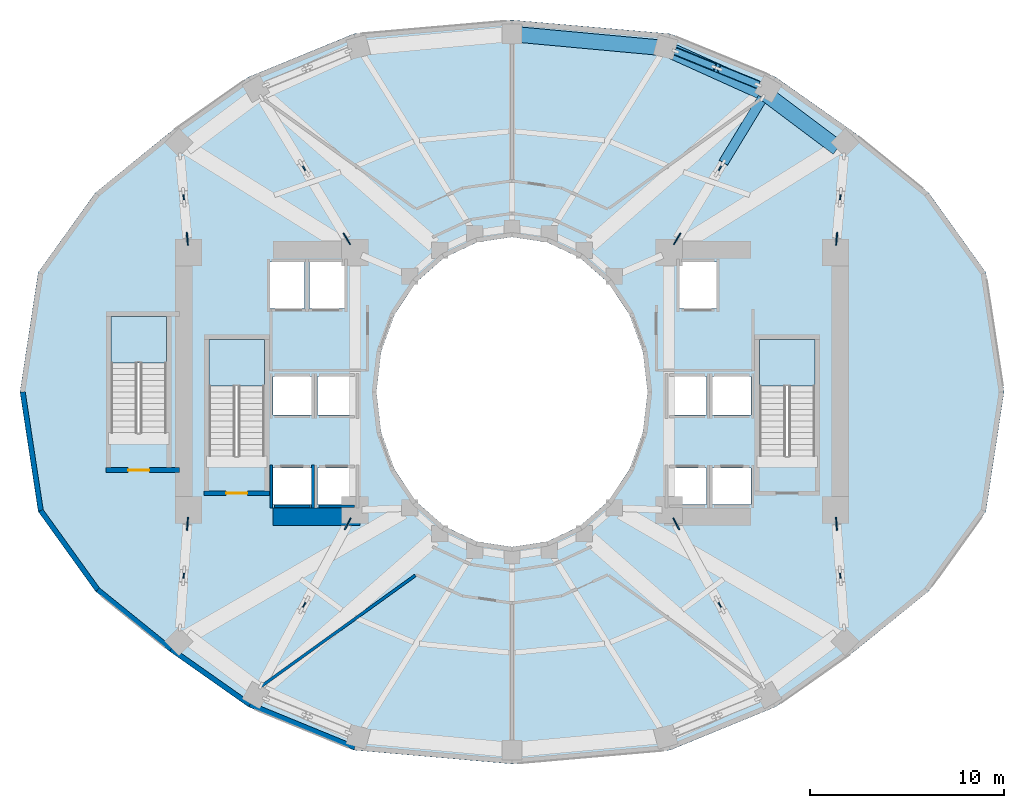
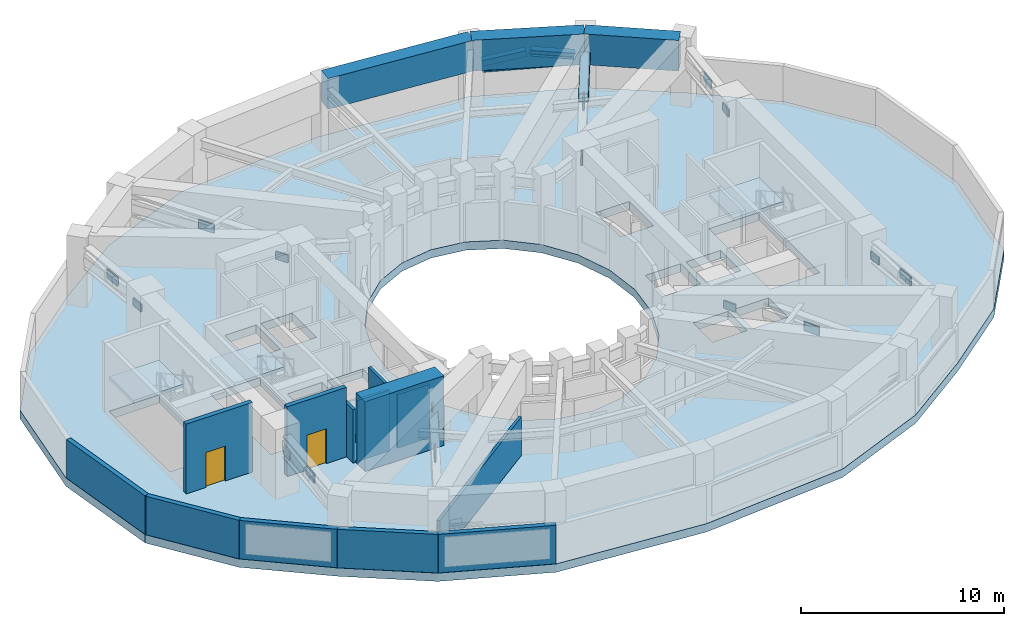
# One storey, part 3 of 10: 16 plates, 13 walls, 4 beams, 4 slabs, 3 members, 2 doors, 2 openings, 3 elements without a shape of their own.
"""IFC4 building model written with IfcOpenShell, lengths in metres."""

import ifcopenshell
import ifcopenshell.guid

model = None  # the IFC model being written
_history = None  # IfcOwnerHistory: only IFC2X3 demands one
_inside = {}  # id of a spatial element -> (the spatial element, [elements in it])
_under = {}  # id of a project, library or spatial element -> (it, [spatial elements below it])
_declared = {}  # id of a project -> (the project, [libraries it declares])
_typed = {}  # id of a type object -> (the type object, [elements of that type])
_made_of = {}  # id of a material, layer set ... -> (it, [elements and type objects made of it])


def new_model(schema):
    """Start an empty IFC model of exactly this schema.

    Asked for "IFC4X3", IfcOpenShell would pick the latest addendum, in which some entities
    have other attributes; the version numbers below select the first issue.
    IFC2X3 requires an IfcOwnerHistory on every rooted entity: one is made here for all.
    """
    global model, _history
    if schema == "IFC4X3":
        model = ifcopenshell.file(schema_version=(4, 3, 0, 0))
    else:
        model = ifcopenshell.file(schema=schema)
    _inside.clear()
    _under.clear()
    _declared.clear()
    _typed.clear()
    _made_of.clear()
    _history = None
    if model.schema == "IFC2X3":
        org = make("IfcOrganization", Name="unknown")
        user = make(
            "IfcPersonAndOrganization",
            ThePerson=make("IfcPerson", FamilyName="unknown"),
            TheOrganization=org,
        )
        app = make(
            "IfcApplication",
            ApplicationDeveloper=org,
            Version="unknown",
            ApplicationFullName="unknown",
            ApplicationIdentifier="unknown",
        )
        _history = make(
            "IfcOwnerHistory",
            OwningUser=user,
            OwningApplication=app,
            ChangeAction="ADDED",
            CreationDate=0,
        )
    return model


def make(cls, **values):
    """One entity of the class cls with the attributes given. An attribute that is None is left unset."""
    return model.create_entity(
        cls, **{name: value for name, value in values.items() if value is not None}
    )


def rooted(cls, **values):
    """An entity with a GlobalId (a new one), such as an element, a storey or a relation."""
    return make(cls, GlobalId=ifcopenshell.guid.new(), OwnerHistory=_history, **values)


def si_unit(unit_type, name, prefix=None):
    """IfcSIUnit, for example si_unit("LENGTHUNIT", "METRE", prefix="MILLI")."""
    return make("IfcSIUnit", UnitType=unit_type, Prefix=prefix, Name=name)


def assignment(units):
    """IfcUnitAssignment: the units of a project."""
    return None if units is None else make("IfcUnitAssignment", Units=units)


def point(xyz):
    """IfcCartesianPoint."""
    return None if xyz is None else make("IfcCartesianPoint", Coordinates=xyz)


def direction(xyz):
    """IfcDirection."""
    return None if xyz is None else make("IfcDirection", DirectionRatios=xyz)


def frame(location, z_axis=None, x_axis=None):
    """IfcAxis2Placement3D, a coordinate frame: its origin and axes. An axis left out is left unset."""
    return make(
        "IfcAxis2Placement3D",
        Location=point(location),
        Axis=direction(z_axis),
        RefDirection=direction(x_axis),
    )


def frame_2d(location, x_axis=None):
    """IfcAxis2Placement2D, a coordinate frame in the plane: its origin and x axis."""
    return make(
        "IfcAxis2Placement2D", Location=point(location), RefDirection=direction(x_axis)
    )


def origin():
    """The frame at (0, 0, 0) with its axes left unset."""
    return frame((0.0, 0.0, 0.0))


def origin_2d():
    """The frame at (0, 0) in the plane with its x axis left unset."""
    return frame_2d((0.0, 0.0))


def place(relative_to, where):
    """IfcLocalPlacement: puts the frame where relative to a parent placement (None: the world)."""
    return make(
        "IfcLocalPlacement", PlacementRelTo=relative_to, RelativePlacement=where
    )


def context(
    kind, dimensions, precision=None, world=None, true_north=None, identifier=None
):
    """IfcGeometricRepresentationContext, for example the 3D "Model" context."""
    return make(
        "IfcGeometricRepresentationContext",
        ContextIdentifier=identifier,
        ContextType=kind,
        CoordinateSpaceDimension=dimensions,
        Precision=precision,
        WorldCoordinateSystem=world,
        TrueNorth=true_north,
    )


def subcontext(parent, identifier, kind, view, scale=None):
    """IfcGeometricRepresentationSubContext, for example "Body" below "Model"."""
    return make(
        "IfcGeometricRepresentationSubContext",
        ContextIdentifier=identifier,
        ContextType=kind,
        ParentContext=parent,
        TargetScale=scale,
        TargetView=view,
    )


def project(units=None, contexts=None):
    """IfcProject with its units and contexts."""
    return rooted(
        "IfcProject",
        Name="project",
        RepresentationContexts=contexts,
        UnitsInContext=assignment(units),
    )


def spatial(cls, under=None, at=None, **own):
    """A site, building, storey or space (cls), placed at a placement, below another one or the project."""
    s = rooted(cls, ObjectPlacement=at, **own)
    if under is not None:
        _under.setdefault(under.id(), (under, []))[1].append(s)
    return s


def polyline(points):
    """IfcPolyline through the points."""
    return make("IfcPolyline", Points=[point(p) for p in points])


def profile(cls, at=None, kind="AREA", **sizes):
    """A parametric profile (cls). Its sizes go by their IFC names, for example OverallWidth=200.0."""
    return make(cls, ProfileType=kind, Position=at, **sizes)


def rectangle(**sizes):
    """IfcRectangleProfileDef."""
    return profile("IfcRectangleProfileDef", **sizes)


def hollow_rectangle(**sizes):
    """IfcRectangleHollowProfileDef."""
    return profile("IfcRectangleHollowProfileDef", **sizes)


def i_section(**sizes):
    """IfcIShapeProfileDef."""
    return profile("IfcIShapeProfileDef", **sizes)


def outline(outer, holes=None, kind="AREA"):
    """IfcArbitraryClosedProfileDef: a profile drawn as a closed curve; with holes, ...WithVoids."""
    if holes is None:
        return make("IfcArbitraryClosedProfileDef", ProfileType=kind, OuterCurve=outer)
    return make(
        "IfcArbitraryProfileDefWithVoids",
        ProfileType=kind,
        OuterCurve=outer,
        InnerCurves=holes,
    )


def extrude(swept, where, along, depth):
    """IfcExtrudedAreaSolid: the profile swept, set in the frame where, extruded along a direction by depth."""
    return make(
        "IfcExtrudedAreaSolid",
        SweptArea=swept,
        Position=where,
        ExtrudedDirection=direction(along),
        Depth=depth,
    )


def shape(context_of_items, identifier, shape_type, items):
    """IfcShapeRepresentation: the items that make up one representation, for example the "Body"."""
    return make(
        "IfcShapeRepresentation",
        ContextOfItems=context_of_items,
        RepresentationIdentifier=identifier,
        RepresentationType=shape_type,
        Items=items,
    )


def material(Name=None, Category=None):
    """IfcMaterial."""
    return make("IfcMaterial", Name=Name, Category=Category)


def layer(
    of_material, thickness, ventilated=None, Name=None, Category=None, Priority=None
):
    """IfcMaterialLayer: one layer of a wall or slab, of a material (None: an air gap)."""
    return make(
        "IfcMaterialLayer",
        Material=of_material,
        LayerThickness=thickness,
        IsVentilated=ventilated,
        Name=Name,
        Category=Category,
        Priority=Priority,
    )


def layer_set(layers, Name=None):
    """IfcMaterialLayerSet."""
    return make("IfcMaterialLayerSet", MaterialLayers=layers, LayerSetName=Name)


def material_profile(
    of_material, cross_section, Name=None, Category=None, Priority=None
):
    """IfcMaterialProfile: a cross section and its material."""
    return make(
        "IfcMaterialProfile",
        Name=Name,
        Material=of_material,
        Profile=cross_section,
        Priority=Priority,
        Category=Category,
    )


def profile_set(profiles, Name=None, composite=None):
    """IfcMaterialProfileSet."""
    return make(
        "IfcMaterialProfileSet",
        Name=Name,
        MaterialProfiles=profiles,
        CompositeProfile=composite,
    )


def made_of(thing, what):
    """Note that an element or type object is made of a material, layer set ...; save() writes the relation."""
    if what is not None:
        _made_of.setdefault(what.id(), (what, []))[1].append(thing)
    return thing


def type_object(cls, material=None, **own):
    """A type object (cls), such as IfcWallType, which elements share."""
    return made_of(rooted(cls, **own), material)


def element(
    cls,
    number,
    at=None,
    inside=None,
    cuts=None,
    type_object=None,
    material=None,
    context=None,
    identifier="Body",
    shape_type=None,
    held_by="IfcProductDefinitionShape",
    body=None,
    shapes=None,
    **own,
):
    """One element of the class cls, such as IfcWall. Its Tag is "e" and its number.

    at: its placement. inside: the storey or other place that contains it. cuts: it is an
    opening in that element (IfcRelVoidsElement). A single representation is given by context,
    identifier, shape_type and body (its items); several are given by shapes. held_by: the class
    of the entity that holds the representations. save() writes the other relations.
    """
    e = rooted(cls, Tag="e%d" % number, ObjectPlacement=at, **own)
    if body is not None:
        shapes = [shape(context, identifier, shape_type, body)]
    if shapes is not None:
        e.Representation = make(held_by, Representations=shapes)
    if inside is not None:
        _inside.setdefault(inside.id(), (inside, []))[1].append(e)
    if cuts is not None:
        rooted(
            "IfcRelVoidsElement", RelatingBuildingElement=cuts, RelatedOpeningElement=e
        )
    if type_object is not None:
        _typed.setdefault(type_object.id(), (type_object, []))[1].append(e)
    return made_of(e, material)


def fill(opening, filler):
    """IfcRelFillsElement: the door or window that sits in an opening."""
    return rooted(
        "IfcRelFillsElement",
        RelatingOpeningElement=opening,
        RelatedBuildingElement=filler,
    )


def aggregate(whole, parts):
    """IfcRelAggregates: a whole, such as a stair, and the parts it consists of."""
    return rooted("IfcRelAggregates", RelatingObject=whole, RelatedObjects=parts)


def save(model, path):
    """Write the relations noted so far, then the file.

    IfcRelAggregates (storeys below a building ...), IfcRelContainedInSpatialStructure (elements
    in a storey), IfcRelDefinesByType, IfcRelAssociatesMaterial and IfcRelDeclares: one each for
    every whole, place, type object, material and project.
    """
    for whole, parts in _under.values():
        aggregate(whole, parts)
    for where, things in _inside.values():
        rooted(
            "IfcRelContainedInSpatialStructure",
            RelatedElements=things,
            RelatingStructure=where,
        )
    for kind, things in _typed.values():
        rooted("IfcRelDefinesByType", RelatedObjects=things, RelatingType=kind)
    for what, things in _made_of.values():
        rooted("IfcRelAssociatesMaterial", RelatedObjects=things, RelatingMaterial=what)
    for by, libraries in _declared.values():
        rooted("IfcRelDeclares", RelatingContext=by, RelatedDefinitions=libraries)
    model.write(path)


model = new_model("IFC4")

# Units and contexts
model_context = context("Model", 3, precision=1e-05, world=origin(), true_north=direction((0.0, 1.0)))
body_context = subcontext(model_context, "Body", "Model", "MODEL_VIEW")
ifc_project = project(units=[si_unit("LENGTHUNIT", "METRE"), si_unit("AREAUNIT", "SQUARE_METRE"), si_unit("VOLUMEUNIT", "CUBIC_METRE"), si_unit("PLANEANGLEUNIT", "RADIAN"), si_unit("MASSUNIT", "GRAM", prefix="KILO")], contexts=[model_context])

# Site, building, storey
site_placement = place(None, origin())
site = spatial("IfcSite", under=ifc_project, at=site_placement, CompositionType="ELEMENT")
building_placement = place(site_placement, origin())
building = spatial("IfcBuilding", under=site, at=building_placement, Name="Solvane Sanctuary Tower", CompositionType="ELEMENT")
storey_placement = place(building_placement, frame((0.0, 0.0, 64.800048828125)))
storey = spatial("IfcBuildingStorey", under=building, at=storey_placement, Name="L19", CompositionType="ELEMENT", Elevation=64.800048828125)

# Beams
ifc_material_1 = material(Name="Steel ASTM A913 Grade 65", Category="steel")
ifc_material_profile_1 = material_profile(ifc_material_1, i_section(OverallWidth=0.431884765625, OverallDepth=0.498046875, WebThickness=0.0556640625, FlangeThickness=0.0888671875, FilletRadius=0.02490234375, at=origin_2d()), Name="W14X500")
ifc_profile_set_1 = profile_set([ifc_material_profile_1], Name="Steel ASTM A913 Grade 65")
beam_type_1 = type_object("IfcBeamType", Name="Beam B-OUTR-CH W14X500", PredefinedType="BEAM", material=ifc_profile_set_1)
beam_1_placement = place(storey_placement, frame((40.430908203125, 40.59375, 2.300048828125), z_axis=(0.926448767062, -0.37642088413, 0.0), x_axis=(0.37642088413, 0.926448767062, 0.0)))
element("IfcBeam", 1, at=beam_1_placement, inside=storey, type_object=beam_type_1, Name="L19 Belt Truss Bottom Chord 03-02", PredefinedType="BEAM", context=body_context, shape_type="SweptSolid", body=[
    extrude(i_section(OverallWidth=0.431884765625, OverallDepth=0.498046875, WebThickness=0.0556640625, FlangeThickness=0.0888671875, FilletRadius=0.02490234375, at=origin_2d()), origin(), (0.0, 0.0, 1.0), 4.630859375),
])
ifc_material_2 = material(Name="Concrete C70/85", Category="concrete")
ifc_material_profile_2 = material_profile(ifc_material_2, rectangle(XDim=0.800048828125, YDim=1.85009765625, at=origin_2d()), Name="RC800X1850")
ifc_profile_set_2 = profile_set([ifc_material_profile_2], Name="Concrete C70/85")
beam_type_2 = type_object("IfcBeamType", Name="Beam B-XFER-BLK RC800X1850", PredefinedType="BEAM", material=ifc_profile_set_2)
beam_2_placement = place(storey_placement, frame((32.0, 41.47998046875, 3.27490234375), z_axis=(0.995790055536, -0.091663325793, 0.0), x_axis=(0.091663325793, 0.995790055536, 0.0)))
element("IfcBeam", 2, at=beam_2_placement, inside=storey, type_object=beam_type_2, Name="L19 Perimeter Step Transfer Ring NTC04-NTC03", PredefinedType="BEAM", context=body_context, shape_type="SweptSolid", body=[
    extrude(rectangle(XDim=0.800048828125, YDim=1.85009765625, at=origin_2d()), origin(), (0.0, 0.0, 1.0), 7.945068359375),
])
beam_3_placement = place(storey_placement, frame((39.91162109375, 40.751708984375, 3.27490234375), z_axis=(0.911310237902, -0.411720354483, 0.0), x_axis=(0.411720354483, 0.911310237902, 0.0)))
element("IfcBeam", 3, at=beam_3_placement, inside=storey, type_object=beam_type_2, Name="L19 Perimeter Step Transfer Ring NTC03-NTC02", PredefinedType="BEAM", context=body_context, shape_type="SweptSolid", body=[
    extrude(rectangle(XDim=0.800048828125, YDim=1.85009765625, at=origin_2d()), origin(), (0.0, 0.0, 1.0), 5.629150390625),
])
beam_4_placement = place(storey_placement, frame((45.04150390625, 38.43408203125, 3.27490234375), z_axis=(0.800210613957, -0.599719078662, 0.0), x_axis=(0.599719078662, 0.800210613957, 0.0)))
element("IfcBeam", 4, at=beam_4_placement, inside=storey, type_object=beam_type_2, Name="L19 Perimeter Step Transfer Ring NTC02-NTC01", PredefinedType="BEAM", context=body_context, shape_type="SweptSolid", body=[
    extrude(rectangle(XDim=0.800048828125, YDim=1.85009765625, at=origin_2d()), origin(), (0.0, 0.0, 1.0), 4.728271484375),
])

# Members
ifc_material_profile_3 = material_profile(ifc_material_1, hollow_rectangle(XDim=0.35009765625, YDim=0.35009765625, WallThickness=0.01611328125, at=origin_2d()), Name="HSS350X350X16")
ifc_profile_set_3 = profile_set([ifc_material_profile_3], Name="Steel ASTM A913 Grade 65")
member_type_1 = type_object("IfcMemberType", Name="Member M-BELT-DIAG HSS350X350X16", PredefinedType="BRACE", material=ifc_profile_set_3)
member_1_placement = place(storey_placement, frame((40.444580078125, 40.588134765625, 2.5517578125), z_axis=(0.911534741068, -0.370465075075, 0.178493820555), x_axis=(0.376511460267, 0.926411960354, 0.0)))
element("IfcMember", 5, at=member_1_placement, inside=storey, type_object=member_type_1, Name="L19 Belt Truss Diagonal 03-02", PredefinedType="BRACE", context=body_context, shape_type="SweptSolid", body=[
    extrude(hollow_rectangle(XDim=0.35009765625, YDim=0.35009765625, WallThickness=0.01611328125, at=origin_2d()), origin(), (0.0, 0.0, 1.0), 2.22802734375),
])
ifc_material_3 = material(Name="Steel ASTM A992 Grade 50", Category="steel")
ifc_material_profile_4 = material_profile(ifc_material_3, i_section(OverallWidth=0.3740234375, OverallDepth=0.3720703125, WebThickness=0.016357421875, FlangeThickness=0.026123046875, FilletRadius=0.02490234375, at=origin_2d()), Name="W14X132")
ifc_profile_set_4 = profile_set([ifc_material_profile_4], Name="Steel ASTM A992 Grade 50")
member_type_2 = type_object("IfcMemberType", Name="Member M-BELT-POST W14X132", PredefinedType="POST", material=ifc_profile_set_4)
member_2_placement = place(storey_placement, frame((42.67626953125, 39.681396484375, 2.949462890625), z_axis=(0.911590259429, -0.370333542893, -0.178483237092), x_axis=(0.376377046956, 0.926466577122, 0.0)))
element("IfcMember", 6, at=member_2_placement, inside=storey, type_object=member_type_2, Name="L19 Belt Truss Web Strut 03-02", PredefinedType="POST", context=body_context, shape_type="SweptSolid", body=[
    extrude(i_section(OverallWidth=0.3740234375, OverallDepth=0.3720703125, WebThickness=0.016357421875, FlangeThickness=0.026123046875, FilletRadius=0.02490234375, at=origin_2d()), origin(), (0.0, 0.0, 1.0), 2.228271484375),
])
ifc_material_profile_5 = material_profile(ifc_material_1, hollow_rectangle(XDim=0.5, YDim=0.5, WallThickness=0.02490234375, at=origin_2d()), Name="HSS500X500X25")
ifc_profile_set_5 = profile_set([ifc_material_profile_5], Name="Steel ASTM A913 Grade 65")
member_type_3 = type_object("IfcMemberType", Name="Member M-POD-DIAG HSS500X500X25", PredefinedType="BRACE", material=ifc_profile_set_5)
member_3_placement = place(storey_placement, frame((44.93359375, 38.172607421875, 2.85986328125), z_axis=(-0.518016633059, -0.854434039128, 0.040015505157), x_axis=(0.855118939014, -0.518431866438, 0.0)))
element("IfcMember", 7, at=member_3_placement, inside=storey, type_object=member_type_3, Name="L19 Outrigger Counter-Diagonal Lower Half OE2", PredefinedType="BRACE", context=body_context, shape_type="SweptSolid", body=[
    extrude(hollow_rectangle(XDim=0.5, YDim=0.5, WallThickness=0.02490234375, at=origin_2d()), origin(), (0.0, 0.0, 1.0), 3.910888671875),
])

# Plates
ifc_material_4 = material(Name="Steel ASTM A572 Grade 50", Category="steel")
ifc_layer_1 = layer(ifc_material_4, 0.070068359375, Name="Steel ASTM A572 Grade 50")
ifc_layer_set_1 = layer_set([ifc_layer_1], Name="Steel ASTM A572 Grade 50")
plate_type = type_object("IfcPlateType", Name="Plate PL-GUSSET-B", PredefinedType="USERDEFINED", material=ifc_layer_set_1)
plate_1_placement = place(storey_placement, frame((15.0517578125, 33.046142578125, 2.76953125), z_axis=(0.0, 0.0, 1.0), x_axis=(-0.086807999895, 0.996225060493, 0.0)))
element("IfcPlate", 8, at=plate_1_placement, inside=storey, type_object=plate_type, Name="L19 Outrigger X-Brace Central Node Plate OW1", ObjectType="GUSSET PLATE", PredefinedType="USERDEFINED", context=body_context, shape_type="SweptSolid", body=[
    extrude(rectangle(XDim=0.8798828125, YDim=0.070068359375, at=origin_2d()), origin(), (0.0, 0.0, 1.0), 0.52001953125),
])
plate_2_placement = place(storey_placement, frame((15.238037109375, 30.909912109375, 2.384765625), z_axis=(0.0, 0.0, 1.0), x_axis=(-0.086807999895, 0.996225060493, 0.0)))
element("IfcPlate", 9, at=plate_2_placement, inside=storey, type_object=plate_type, Name="L19 Outrigger Core Gusset Plate OW1", ObjectType="GUSSET PLATE", PredefinedType="USERDEFINED", context=body_context, shape_type="SweptSolid", body=[
    extrude(rectangle(XDim=0.679931640625, YDim=0.070068359375, at=origin_2d()), origin(), (0.0, 0.0, 1.0), 0.449951171875),
])
plate_3_placement = place(storey_placement, frame((21.26318359375, 34.549072265625, 2.76953125), z_axis=(0.0, 0.0, 1.0), x_axis=(-0.518474806022, 0.855092904614, 0.0)))
element("IfcPlate", 10, at=plate_3_placement, inside=storey, type_object=plate_type, Name="L19 Outrigger X-Brace Central Node Plate OW2", ObjectType="GUSSET PLATE", PredefinedType="USERDEFINED", context=body_context, shape_type="SweptSolid", body=[
    extrude(rectangle(XDim=0.8798828125, YDim=0.070068359375, at=origin_2d()), origin(), (0.0, 0.0, 1.0), 0.52001953125),
])
plate_4_placement = place(storey_placement, frame((23.470458984375, 30.90869140625, 2.384765625), z_axis=(0.0, 0.0, 1.0), x_axis=(-0.518474806022, 0.855092904614, 0.0)))
element("IfcPlate", 11, at=plate_4_placement, inside=storey, type_object=plate_type, Name="L19 Outrigger Core Gusset Plate OW2", ObjectType="GUSSET PLATE", PredefinedType="USERDEFINED", context=body_context, shape_type="SweptSolid", body=[
    extrude(rectangle(XDim=0.679931640625, YDim=0.070068359375, at=origin_2d()), origin(), (0.0, 0.0, 1.0), 0.449951171875),
])
plate_5_placement = place(storey_placement, frame((15.05224609375, 13.50830078125, 2.76953125), z_axis=(0.0, 0.0, 1.0), x_axis=(-0.072890064247, -0.997339981418, 0.0)))
element("IfcPlate", 12, at=plate_5_placement, inside=storey, type_object=plate_type, Name="L19 Outrigger X-Brace Central Node Plate OW3", ObjectType="GUSSET PLATE", PredefinedType="USERDEFINED", context=body_context, shape_type="SweptSolid", body=[
    extrude(rectangle(XDim=0.8798828125, YDim=0.070068359375, at=origin_2d()), origin(), (0.0, 0.0, 1.0), 0.52001953125),
])
plate_6_placement = place(storey_placement, frame((15.248046875, 16.18994140625, 2.384765625), z_axis=(0.0, 0.0, 1.0), x_axis=(-0.072890064247, -0.997339981418, 0.0)))
element("IfcPlate", 13, at=plate_6_placement, inside=storey, type_object=plate_type, Name="L19 Outrigger Core Gusset Plate OW3", ObjectType="GUSSET PLATE", PredefinedType="USERDEFINED", context=body_context, shape_type="SweptSolid", body=[
    extrude(rectangle(XDim=0.679931640625, YDim=0.070068359375, at=origin_2d()), origin(), (0.0, 0.0, 1.0), 0.449951171875),
])
plate_7_placement = place(storey_placement, frame((21.275634765625, 12.0078125, 2.76953125), z_axis=(0.0, 0.0, 1.0), x_axis=(-0.47270457414, -0.881220962975, 0.0)))
element("IfcPlate", 14, at=plate_7_placement, inside=storey, type_object=plate_type, Name="L19 Outrigger X-Brace Central Node Plate OW4", ObjectType="GUSSET PLATE", PredefinedType="USERDEFINED", context=body_context, shape_type="SweptSolid", body=[
    extrude(rectangle(XDim=0.8798828125, YDim=0.070068359375, at=origin_2d()), origin(), (0.0, 0.0, 1.0), 0.52001953125),
])
plate_8_placement = place(storey_placement, frame((23.519775390625, 16.191162109375, 2.384765625), z_axis=(0.0, 0.0, 1.0), x_axis=(-0.47270457414, -0.881220962975, 0.0)))
element("IfcPlate", 15, at=plate_8_placement, inside=storey, type_object=plate_type, Name="L19 Outrigger Core Gusset Plate OW4", ObjectType="GUSSET PLATE", PredefinedType="USERDEFINED", context=body_context, shape_type="SweptSolid", body=[
    extrude(rectangle(XDim=0.679931640625, YDim=0.070068359375, at=origin_2d()), origin(), (0.0, 0.0, 1.0), 0.449951171875),
])
plate_9_placement = place(storey_placement, frame((48.9482421875, 33.046142578125, 2.76953125), z_axis=(0.0, 0.0, 1.0), x_axis=(0.086807999895, 0.996225060493, 0.0)))
element("IfcPlate", 16, at=plate_9_placement, inside=storey, type_object=plate_type, Name="L19 Outrigger X-Brace Central Node Plate OE1", ObjectType="GUSSET PLATE", PredefinedType="USERDEFINED", context=body_context, shape_type="SweptSolid", body=[
    extrude(rectangle(XDim=0.8798828125, YDim=0.070068359375, at=origin_2d()), origin(), (0.0, 0.0, 1.0), 0.52001953125),
])
plate_10_placement = place(storey_placement, frame((48.761962890625, 30.909912109375, 2.384765625), z_axis=(0.0, 0.0, 1.0), x_axis=(0.086807999895, 0.996225060493, 0.0)))
element("IfcPlate", 17, at=plate_10_placement, inside=storey, type_object=plate_type, Name="L19 Outrigger Core Gusset Plate OE1", ObjectType="GUSSET PLATE", PredefinedType="USERDEFINED", context=body_context, shape_type="SweptSolid", body=[
    extrude(rectangle(XDim=0.679931640625, YDim=0.070068359375, at=origin_2d()), origin(), (0.0, 0.0, 1.0), 0.449951171875),
])
plate_11_placement = place(storey_placement, frame((42.73681640625, 34.549072265625, 2.76953125), z_axis=(0.0, 0.0, 1.0), x_axis=(0.518474806022, 0.855092904614, 0.0)))
element("IfcPlate", 18, at=plate_11_placement, inside=storey, type_object=plate_type, Name="L19 Outrigger X-Brace Central Node Plate OE2", ObjectType="GUSSET PLATE", PredefinedType="USERDEFINED", context=body_context, shape_type="SweptSolid", body=[
    extrude(rectangle(XDim=0.8798828125, YDim=0.070068359375, at=origin_2d()), origin(), (0.0, 0.0, 1.0), 0.52001953125),
])
plate_12_placement = place(storey_placement, frame((40.529541015625, 30.90869140625, 2.384765625), z_axis=(0.0, 0.0, 1.0), x_axis=(0.518474806022, 0.855092904614, 0.0)))
element("IfcPlate", 19, at=plate_12_placement, inside=storey, type_object=plate_type, Name="L19 Outrigger Core Gusset Plate OE2", ObjectType="GUSSET PLATE", PredefinedType="USERDEFINED", context=body_context, shape_type="SweptSolid", body=[
    extrude(rectangle(XDim=0.679931640625, YDim=0.070068359375, at=origin_2d()), origin(), (0.0, 0.0, 1.0), 0.449951171875),
])
plate_13_placement = place(storey_placement, frame((48.94775390625, 13.50830078125, 2.76953125), z_axis=(0.0, 0.0, 1.0), x_axis=(0.072890064247, -0.997339981418, 0.0)))
element("IfcPlate", 20, at=plate_13_placement, inside=storey, type_object=plate_type, Name="L19 Outrigger X-Brace Central Node Plate OE3", ObjectType="GUSSET PLATE", PredefinedType="USERDEFINED", context=body_context, shape_type="SweptSolid", body=[
    extrude(rectangle(XDim=0.8798828125, YDim=0.070068359375, at=origin_2d()), origin(), (0.0, 0.0, 1.0), 0.52001953125),
])
plate_14_placement = place(storey_placement, frame((48.751953125, 16.18994140625, 2.384765625), z_axis=(0.0, 0.0, 1.0), x_axis=(0.072890064247, -0.997339981418, 0.0)))
element("IfcPlate", 21, at=plate_14_placement, inside=storey, type_object=plate_type, Name="L19 Outrigger Core Gusset Plate OE3", ObjectType="GUSSET PLATE", PredefinedType="USERDEFINED", context=body_context, shape_type="SweptSolid", body=[
    extrude(rectangle(XDim=0.679931640625, YDim=0.070068359375, at=origin_2d()), origin(), (0.0, 0.0, 1.0), 0.449951171875),
])
plate_15_placement = place(storey_placement, frame((42.724365234375, 12.0078125, 2.76953125), z_axis=(0.0, 0.0, 1.0), x_axis=(0.47270457414, -0.881220962975, 0.0)))
element("IfcPlate", 22, at=plate_15_placement, inside=storey, type_object=plate_type, Name="L19 Outrigger X-Brace Central Node Plate OE4", ObjectType="GUSSET PLATE", PredefinedType="USERDEFINED", context=body_context, shape_type="SweptSolid", body=[
    extrude(rectangle(XDim=0.8798828125, YDim=0.070068359375, at=origin_2d()), origin(), (0.0, 0.0, 1.0), 0.52001953125),
])
plate_16_placement = place(storey_placement, frame((40.480224609375, 16.191162109375, 2.384765625), z_axis=(0.0, 0.0, 1.0), x_axis=(0.47270457414, -0.881220962975, 0.0)))
element("IfcPlate", 23, at=plate_16_placement, inside=storey, type_object=plate_type, Name="L19 Outrigger Core Gusset Plate OE4", ObjectType="GUSSET PLATE", PredefinedType="USERDEFINED", context=body_context, shape_type="SweptSolid", body=[
    extrude(rectangle(XDim=0.679931640625, YDim=0.070068359375, at=origin_2d()), origin(), (0.0, 0.0, 1.0), 0.449951171875),
])

# Stair, slab
ifc_material_5 = material(Name="Concrete C45/55", Category="concrete")
stair_type = type_object("IfcStairType", Name="Stair ST-TOW", PredefinedType="HALF_TURN_STAIR", material=ifc_material_5)
stair_1_placement = place(storey_placement, origin())
stair_1 = element("IfcStair", 24, at=stair_1_placement, inside=storey, type_object=stair_type, Name="L19 Exit Stair ST-1 West Core", PredefinedType="HALF_TURN_STAIR")
ifc_layer_2 = layer(ifc_material_5, 0.199951171875, Name="Concrete C45/55")
ifc_layer_set_2 = layer_set([ifc_layer_2], Name="Concrete C45/55")
slab_type_1 = type_object("IfcSlabType", Name="Slab SL-LAND-180", PredefinedType="LANDING", material=ifc_layer_set_2)
slab_1_placement = place(storey_placement, frame((0.0, 0.0, 1.89990234375)))
slab_1 = element("IfcSlab", 25, at=slab_1_placement, type_object=slab_type_1, Name="ST-1 landing 1", PredefinedType="LANDING", context=body_context, shape_type="SweptSolid", body=[
    extrude(outline(polyline([(19.219970703125, 23.300048828125), (19.219970703125, 25.699951171875), (16.360107421875, 25.699951171875), (16.360107421875, 23.300048828125), (19.219970703125, 23.300048828125)])), origin(), (0.0, 0.0, 1.0), 0.199951171875),
])
aggregate(stair_1, [slab_1])

stair_2_placement = place(storey_placement, origin())
stair_2 = element("IfcStair", 26, at=stair_2_placement, inside=storey, type_object=stair_type, Name="L19 Exit Stair ST-2 East Core", PredefinedType="HALF_TURN_STAIR")
slab_2_placement = place(storey_placement, frame((0.0, 0.0, 1.89990234375)))
slab_2 = element("IfcSlab", 27, at=slab_2_placement, type_object=slab_type_1, Name="ST-2 landing 1", PredefinedType="LANDING", context=body_context, shape_type="SweptSolid", body=[
    extrude(outline(polyline([(47.639892578125, 23.300048828125), (47.639892578125, 25.699951171875), (44.780029296875, 25.699951171875), (44.780029296875, 23.300048828125), (47.639892578125, 23.300048828125)])), origin(), (0.0, 0.0, 1.0), 0.199951171875),
])
aggregate(stair_2, [slab_2])

stair_3_placement = place(storey_placement, origin())
stair_3 = element("IfcStair", 28, at=stair_3_placement, inside=storey, type_object=stair_type, Name="L19 Exit Stair ST-3 Pilgrim Tower Stair", PredefinedType="HALF_TURN_STAIR")
slab_3_placement = place(storey_placement, frame((0.0, 0.0, 1.89990234375)))
slab_3 = element("IfcSlab", 29, at=slab_3_placement, type_object=slab_type_1, Name="ST-3 landing 1", PredefinedType="LANDING", context=body_context, shape_type="SweptSolid", body=[
    extrude(outline(polyline([(14.159912109375, 24.5), (14.159912109375, 26.89990234375), (11.300048828125, 26.89990234375), (11.300048828125, 24.5), (14.159912109375, 24.5)])), origin(), (0.0, 0.0, 1.0), 0.199951171875),
])
aggregate(stair_3, [slab_3])

# Slab
ifc_material_6 = material(Name="Concrete C60/75", Category="concrete")
ifc_layer_3 = layer(ifc_material_6, 0.5, Name="Concrete C60/75")
ifc_layer_set_3 = layer_set([ifc_layer_3], Name="Concrete C60/75")
slab_type_2 = type_object("IfcSlabType", Name="Slab SL-XFER-500", PredefinedType="FLOOR", material=ifc_layer_set_3)
slab_4_placement = place(storey_placement, frame((0.0, 0.0, -0.5)))
element("IfcSlab", 30, at=slab_4_placement, inside=storey, type_object=slab_type_2, Name="L19 Primary Structural Slab", PredefinedType="FLOOR", context=body_context, shape_type="SweptSolid", body=[
    extrude(outline(polyline([(57.39990234375, 23.0), (56.460693359375, 29.17041015625), (53.50634765625, 33.28564453125), (49.696533203125, 36.376953125), (45.607177734375, 39.2568359375), (40.162841796875, 41.489990234375), (32.0, 42.199951171875), (23.837158203125, 41.489990234375), (18.392822265625, 39.2568359375), (14.303466796875, 36.376953125), (10.49365234375, 33.28564453125), (7.539306640625, 29.17041015625), (6.60009765625, 23.0), (7.539306640625, 16.82958984375), (10.49365234375, 12.71435546875), (14.303466796875, 9.623046875), (18.392822265625, 6.7431640625), (23.837158203125, 4.510009765625), (32.0, 3.800048828125), (40.162841796875, 4.510009765625), (45.607177734375, 6.7431640625), (49.696533203125, 9.623046875), (53.50634765625, 12.71435546875), (56.460693359375, 16.82958984375), (57.39990234375, 23.0)]), holes=[polyline([(38.761474609375, 20.929443359375), (38.062255859375, 19.0), (36.94970703125, 17.343017578125), (35.5, 16.07177734375), (33.811767578125, 15.272705078125), (32.0, 15.0), (30.188232421875, 15.272705078125), (28.5, 16.07177734375), (27.05029296875, 17.343017578125), (25.937744140625, 19.0), (25.238525390625, 20.929443359375), (25.0, 23.0), (25.238525390625, 25.070556640625), (25.937744140625, 27.0), (27.05029296875, 28.656982421875), (28.5, 29.92822265625), (30.188232421875, 30.727294921875), (32.0, 31.0), (33.811767578125, 30.727294921875), (35.5, 29.92822265625), (36.94970703125, 28.656982421875), (38.062255859375, 27.0), (38.761474609375, 25.070556640625), (39.0, 23.0), (38.761474609375, 20.929443359375)]), polyline([(16.360107421875, 19.699951171875), (16.360107421875, 25.699951171875), (19.219970703125, 25.699951171875), (19.219970703125, 19.699951171875), (16.360107421875, 19.699951171875)]), polyline([(44.780029296875, 19.699951171875), (44.780029296875, 25.699951171875), (47.639892578125, 25.699951171875), (47.639892578125, 19.699951171875), (44.780029296875, 19.699951171875)]), polyline([(11.300048828125, 20.89990234375), (11.300048828125, 26.89990234375), (14.159912109375, 26.89990234375), (14.159912109375, 20.89990234375), (11.300048828125, 20.89990234375)]), polyline([(19.64990234375, 19.080078125), (21.64990234375, 19.080078125), (21.64990234375, 17.179931640625), (19.64990234375, 17.179931640625), (19.64990234375, 19.080078125)]), polyline([(21.949951171875, 19.080078125), (23.949951171875, 19.080078125), (23.949951171875, 17.179931640625), (21.949951171875, 17.179931640625), (21.949951171875, 19.080078125)]), polyline([(40.050048828125, 19.080078125), (42.050048828125, 19.080078125), (42.050048828125, 17.179931640625), (40.050048828125, 17.179931640625), (40.050048828125, 19.080078125)]), polyline([(42.35009765625, 19.080078125), (44.35009765625, 19.080078125), (44.35009765625, 17.179931640625), (42.35009765625, 17.179931640625), (42.35009765625, 19.080078125)]), polyline([(19.64990234375, 23.800048828125), (21.64990234375, 23.800048828125), (21.64990234375, 21.800048828125), (19.64990234375, 21.800048828125), (19.64990234375, 23.800048828125)]), polyline([(42.35009765625, 23.800048828125), (44.35009765625, 23.800048828125), (44.35009765625, 21.800048828125), (42.35009765625, 21.800048828125), (42.35009765625, 23.800048828125)]), polyline([(21.949951171875, 23.800048828125), (23.949951171875, 23.800048828125), (23.949951171875, 21.800048828125), (21.949951171875, 21.800048828125), (21.949951171875, 23.800048828125)]), polyline([(40.050048828125, 23.800048828125), (42.050048828125, 23.800048828125), (42.050048828125, 21.800048828125), (40.050048828125, 21.800048828125), (40.050048828125, 23.800048828125)]), polyline([(19.5, 29.699951171875), (21.300048828125, 29.699951171875), (21.300048828125, 27.300048828125), (19.5, 27.300048828125), (19.5, 29.699951171875)]), polyline([(21.550048828125, 29.699951171875), (23.35009765625, 29.699951171875), (23.35009765625, 27.300048828125), (21.550048828125, 27.300048828125), (21.550048828125, 29.699951171875)]), polyline([(40.64990234375, 29.699951171875), (42.550048828125, 29.699951171875), (42.550048828125, 27.300048828125), (40.64990234375, 27.300048828125), (40.64990234375, 29.699951171875)])]), origin(), (0.0, 0.0, 1.0), 0.5),
])

# Walls
ifc_layer_4 = layer(ifc_material_2, 0.89990234375, Name="Concrete C70/85")
ifc_layer_set_4 = layer_set([ifc_layer_4], Name="Concrete C70/85")
wall_type_1 = type_object("IfcWallType", Name="Wall W-CORE-900", PredefinedType="SHEAR", material=ifc_layer_set_4)
wall_1_placement = place(storey_placement, frame((19.64990234375, 16.550048828125, 0.0), z_axis=(0.0, 0.0, 1.0), x_axis=(1.0, 0.0, 0.0)))
element("IfcWall", 31, at=wall_1_placement, inside=storey, type_object=wall_type_1, Name="L19 Core Shear Wall WC-S", PredefinedType="SHEAR", context=body_context, shape_type="SweptSolid", body=[
    extrude(rectangle(XDim=4.5, YDim=0.89990234375, at=frame_2d((2.25, 0.0))), origin(), (0.0, 0.0, 1.0), 4.199951171875),
])
ifc_material_7 = material(Name="Acoustic Gypsum Partition Board")
ifc_layer_5 = layer(ifc_material_7, 0.14990234375, Name="Acoustic Gypsum Partition Board")
ifc_layer_set_5 = layer_set([ifc_layer_5], Name="Acoustic Gypsum Partition Board")
wall_type_2 = type_object("IfcWallType", Name="Wall W-CORR-150", PredefinedType="PARTITIONING", material=ifc_layer_set_5)
wall_2_placement = place(storey_placement, frame((27.00537109375, 13.5283203125, 0.0), z_axis=(0.0, 0.0, 1.0), x_axis=(-0.811691742112, -0.584086051697, 0.0)))
element("IfcWall", 32, at=wall_2_placement, inside=storey, type_object=wall_type_2, Name="L19 Mechanical Plant Radial Wall 240", PredefinedType="PARTITIONING", context=body_context, shape_type="SweptSolid", body=[
    extrude(rectangle(XDim=9.824462890625, YDim=0.14990234375, at=frame_2d((4.912109375, 0.0))), origin(), (0.0, 0.0, 1.0), 2.320068359375),
])
ifc_material_8 = material(Name="Precast concrete C40/50", Category="concrete")
ifc_layer_6 = layer(ifc_material_8, 0.260009765625, Name="Precast concrete C40/50")
ifc_layer_set_6 = layer_set([ifc_layer_6], Name="Precast concrete C40/50")
wall_type_3 = type_object("IfcWallType", Name="Wall W-EXT-250", PredefinedType="STANDARD", material=ifc_layer_set_6)
wall_3_placement = place(storey_placement, frame((6.739990234375, 23.0, 0.0), z_axis=(0.0, 0.0, 1.0), x_axis=(0.150748389741, -0.988572163775, 0.0)))
element("IfcWall", 33, at=wall_3_placement, inside=storey, type_object=wall_type_3, Name="L19 Mechanical Plant Perimeter Wall 12", PredefinedType="STANDARD", context=body_context, shape_type="SweptSolid", body=[
    extrude(rectangle(XDim=6.1962890625, YDim=0.260009765625, at=frame_2d((3.09814453125, 0.0))), origin(), (0.0, 0.0, 1.0), 2.320068359375),
])
wall_4_placement = place(storey_placement, frame((7.674072265625, 16.87451171875, 0.0), z_axis=(0.0, 0.0, 1.0), x_axis=(0.58386496218, -0.81185079044, 0.0)))
element("IfcWall", 34, at=wall_4_placement, inside=storey, type_object=wall_type_3, Name="L19 Mechanical Plant Perimeter Wall 13", PredefinedType="STANDARD", context=body_context, shape_type="SweptSolid", body=[
    extrude(rectangle(XDim=5.031982421875, YDim=0.260009765625, at=frame_2d((2.51611328125, 0.0))), origin(), (0.0, 0.0, 1.0), 2.320068359375),
])
wall_5_placement = place(storey_placement, frame((10.612060546875, 12.789306640625, 0.0), z_axis=(0.0, 0.0, 1.0), x_axis=(0.777097920144, -0.6293797125, 0.0)))
element("IfcWall", 35, at=wall_5_placement, inside=storey, type_object=wall_type_3, Name="L19 Mechanical Plant Perimeter Wall 14", PredefinedType="STANDARD", context=body_context, shape_type="SweptSolid", body=[
    extrude(rectangle(XDim=4.87548828125, YDim=0.260009765625, at=frame_2d((2.437744140625, 0.0))), origin(), (0.0, 0.0, 1.0), 2.320068359375),
])
wall_6_placement = place(storey_placement, frame((14.40087890625, 9.720703125, 0.0), z_axis=(0.0, 0.0, 1.0), x_axis=(0.818106773799, -0.575066349792, 0.0)))
element("IfcWall", 36, at=wall_6_placement, inside=storey, type_object=wall_type_3, Name="L19 Mechanical Plant Perimeter Wall 15", PredefinedType="STANDARD", context=body_context, shape_type="SweptSolid", body=[
    extrude(rectangle(XDim=4.971435546875, YDim=0.260009765625, at=frame_2d((2.48583984375, 0.0))), origin(), (0.0, 0.0, 1.0), 2.320068359375),
])
wall_7_placement = place(storey_placement, frame((18.468017578125, 6.86181640625, 0.0), z_axis=(0.0, 0.0, 1.0), x_axis=(0.925415283069, -0.378954553822, 0.0)))
element("IfcWall", 37, at=wall_7_placement, inside=storey, type_object=wall_type_3, Name="L19 Mechanical Plant Perimeter Wall 16", PredefinedType="STANDARD", context=body_context, shape_type="SweptSolid", body=[
    extrude(rectangle(XDim=5.850341796875, YDim=0.260009765625, at=frame_2d((2.92529296875, 0.0))), origin(), (0.0, 0.0, 1.0), 2.320068359375),
])
ifc_material_9 = material(Name="Concrete C50/60", Category="concrete")
ifc_layer_7 = layer(ifc_material_9, 0.14990234375, Name="Concrete C50/60")
ifc_layer_set_7 = layer_set([ifc_layer_7], Name="Concrete C50/60")
wall_type_4 = type_object("IfcWallType", Name="Wall W-SHAFT-150", PredefinedType="SOLIDWALL", material=ifc_layer_set_7)
wall_8_placement = place(storey_placement, frame((19.739990234375, 17.10009765625, 0.0), z_axis=(0.0, 0.0, 1.0), x_axis=(1.0, 0.0, 0.0)))
element("IfcWall", 38, at=wall_8_placement, inside=storey, type_object=wall_type_4, Name="L19 PL-1 Lift Shaft Wall B", PredefinedType="SOLIDWALL", context=body_context, shape_type="SweptSolid", body=[
    extrude(rectangle(XDim=1.820068359375, YDim=0.14990234375, at=frame_2d((0.91015625, 0.0))), origin(), (0.0, 0.0, 1.0), 3.675048828125),
])
wall_9_placement = place(storey_placement, frame((19.570068359375, 17.02001953125, 0.0), z_axis=(0.0, 0.0, 1.0), x_axis=(0.0, 1.0, 0.0)))
element("IfcWall", 39, at=wall_9_placement, inside=storey, type_object=wall_type_4, Name="L19 PL-1 Lift Shaft Wall S1", PredefinedType="SOLIDWALL", context=body_context, shape_type="SweptSolid", body=[
    extrude(rectangle(XDim=2.219970703125, YDim=0.14990234375, at=frame_2d((1.10986328125, 0.0))), origin(), (0.0, 0.0, 1.0), 3.219970703125),
])
wall_10_placement = place(storey_placement, frame((21.72998046875, 17.02001953125, 0.0), z_axis=(0.0, 0.0, 1.0), x_axis=(0.0, 1.0, 0.0)))
element("IfcWall", 40, at=wall_10_placement, inside=storey, type_object=wall_type_4, Name="L19 PL-1 Lift Shaft Wall S2", PredefinedType="SOLIDWALL", context=body_context, shape_type="SweptSolid", body=[
    extrude(rectangle(XDim=2.219970703125, YDim=0.14990234375, at=frame_2d((1.10986328125, 0.0))), origin(), (0.0, 0.0, 1.0), 3.675048828125),
])
wall_11_placement = place(storey_placement, frame((22.0400390625, 17.10009765625, 0.0), z_axis=(0.0, 0.0, 1.0), x_axis=(1.0, 0.0, 0.0)))
element("IfcWall", 41, at=wall_11_placement, inside=storey, type_object=wall_type_4, Name="L19 PL-2 Lift Shaft Wall B", PredefinedType="SOLIDWALL", context=body_context, shape_type="SweptSolid", body=[
    extrude(rectangle(XDim=1.820068359375, YDim=0.14990234375, at=frame_2d((0.91015625, 0.0))), origin(), (0.0, 0.0, 1.0), 3.219970703125),
])

# Wall, opening, door
ifc_layer_8 = layer(ifc_material_9, 0.25, Name="Concrete C50/60")
ifc_layer_set_8 = layer_set([ifc_layer_8], Name="Concrete C50/60")
wall_type_5 = type_object("IfcWallType", Name="Wall W-SHAFT-250", PredefinedType="SOLIDWALL", material=ifc_layer_set_8)
wall_12_placement = place(storey_placement, frame((16.10498046875, 17.77001953125, 0.0), z_axis=(0.0, 0.0, 1.0), x_axis=(1.0, 0.0, 0.0)))
wall_12 = element("IfcWall", 42, at=wall_12_placement, inside=storey, type_object=wall_type_5, Name="L19 ST-1 Load-Bearing Shaft Wall S", PredefinedType="SOLIDWALL", context=body_context, shape_type="SweptSolid", body=[
    extrude(rectangle(XDim=3.3701171875, YDim=0.25, at=frame_2d((1.68505859375, 0.0))), origin(), (0.0, 0.0, 1.0), 4.199951171875),
])
opening_1_placement = place(wall_12_placement, frame((1.135009765625, 0.0, 0.0)))
opening_1 = element("IfcOpeningElement", 43, at=opening_1_placement, cuts=wall_12, Name="Opening D-L19-01", PredefinedType="OPENING", context=body_context, shape_type="SweptSolid", body=[
    extrude(rectangle(XDim=1.10009765625, YDim=2.10009765625, at=frame_2d((0.550048828125, 1.050048828125))), frame((0.0, 0.135009765625, 0.0), z_axis=(0.0, -1.0, 0.0), x_axis=(1.0, 0.0, 0.0)), (0.0, 0.0, 1.0), 0.27001953125),
])
ifc_material_10 = material(Name="Architectural Stainless Steel 316", Category="steel")
door_type = type_object("IfcDoorType", Name="Door D-STAIR", OperationType="NOTDEFINED", PredefinedType="DOOR", material=ifc_material_10)
door_1_placement = place(opening_1_placement, origin())
door_1 = element("IfcDoor", 44, at=door_1_placement, inside=storey, type_object=door_type, Name="L19 ST-1 Exit Stair Fire Door", OperationType="SINGLE_SWING_LEFT", OverallHeight=2.10009765625, OverallWidth=1.10009765625, PredefinedType="DOOR", context=body_context, shape_type="SweptSolid", body=[
    extrude(rectangle(XDim=1.10009765625, YDim=2.10009765625, at=frame_2d((0.550048828125, 1.050048828125))), frame((0.0, 0.02490234375, 0.0), z_axis=(0.0, -1.0, 0.0), x_axis=(1.0, 0.0, 0.0)), (0.0, 0.0, 1.0), 0.050048828125),
])
fill(opening_1, door_1)

wall_13_placement = place(storey_placement, frame((11.044921875, 18.969970703125, 0.0), z_axis=(0.0, 0.0, 1.0), x_axis=(1.0, 0.0, 0.0)))
wall_13 = element("IfcWall", 45, at=wall_13_placement, inside=storey, type_object=wall_type_5, Name="L19 ST-3 Load-Bearing Shaft Wall S", PredefinedType="SOLIDWALL", context=body_context, shape_type="SweptSolid", body=[
    extrude(rectangle(XDim=3.781982421875, YDim=0.25, at=frame_2d((1.89111328125, 0.0))), origin(), (0.0, 0.0, 1.0), 4.199951171875),
])
opening_2_placement = place(wall_13_placement, frame((1.135009765625, 0.0, 0.0)))
opening_2 = element("IfcOpeningElement", 46, at=opening_2_placement, cuts=wall_13, Name="Opening D-L19-03", PredefinedType="OPENING", context=body_context, shape_type="SweptSolid", body=[
    extrude(rectangle(XDim=1.10009765625, YDim=2.10009765625, at=frame_2d((0.550048828125, 1.050048828125))), frame((0.0, 0.135009765625, 0.0), z_axis=(0.0, -1.0, 0.0), x_axis=(1.0, 0.0, 0.0)), (0.0, 0.0, 1.0), 0.27001953125),
])
door_2_placement = place(opening_2_placement, origin())
door_2 = element("IfcDoor", 47, at=door_2_placement, inside=storey, type_object=door_type, Name="L19 ST-3 Exit Stair Fire Door", OperationType="SINGLE_SWING_LEFT", OverallHeight=2.10009765625, OverallWidth=1.10009765625, PredefinedType="DOOR", context=body_context, shape_type="SweptSolid", body=[
    extrude(rectangle(XDim=1.10009765625, YDim=2.10009765625, at=frame_2d((0.550048828125, 1.050048828125))), frame((0.0, 0.02490234375, 0.0), z_axis=(0.0, -1.0, 0.0), x_axis=(1.0, 0.0, 0.0)), (0.0, 0.0, 1.0), 0.050048828125),
])
fill(opening_2, door_2)

save(model, "model.ifc")
